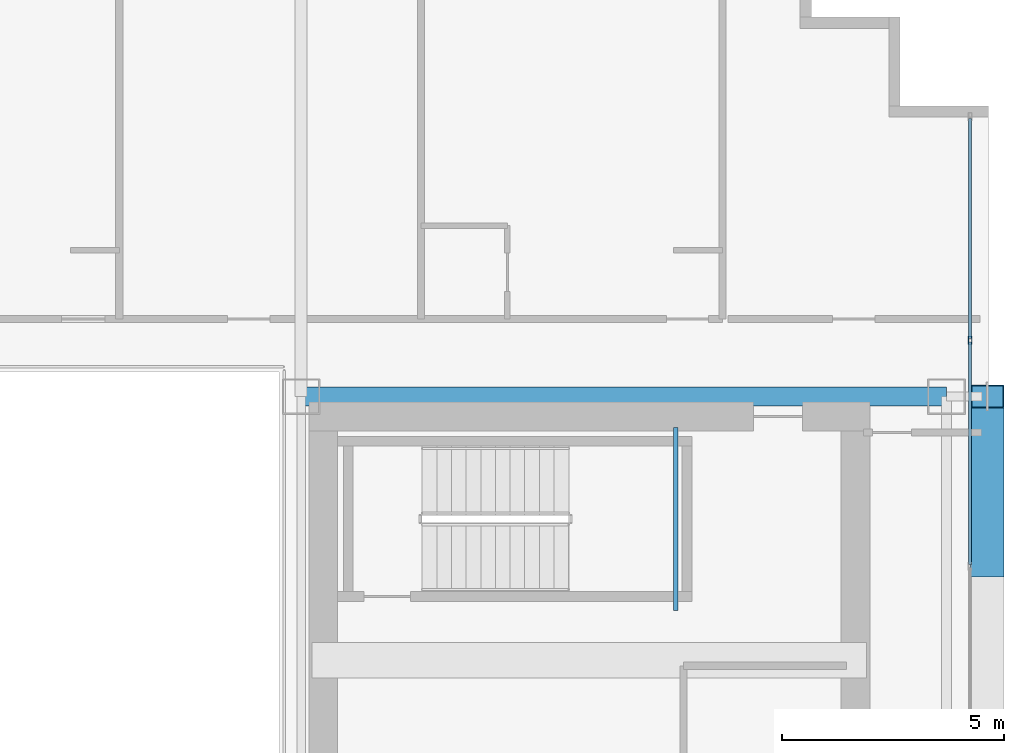
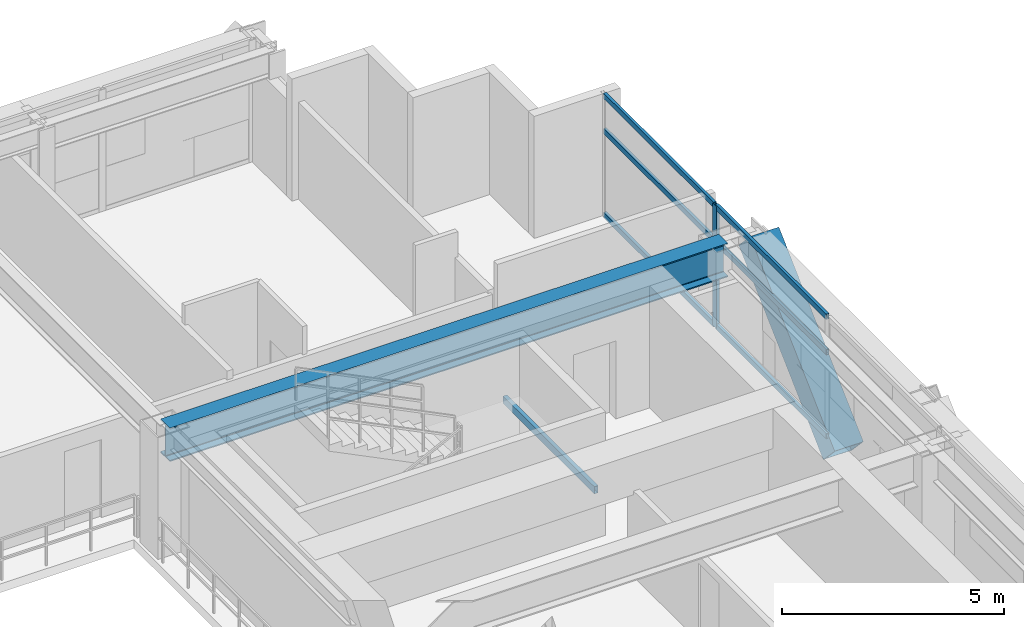
# One storey, part 20 of 34: 8 members, 2 beams, 1 element without a shape of its own.
"""IFC4 building model written with IfcOpenShell, lengths in metres."""

from ifc_helpers import new_model, si_unit, direction, frame, origin, origin_2d, place, context, subcontext, project, spatial, hollow_rectangle, i_section, extrude, source, transform, mapped, material, layer, layer_set, material_profile, profile_set, type_object, element, aggregate, save


model = new_model("IFC4")

# Units and contexts
model_context = context("Model", 3, precision=1e-05, world=origin(), true_north=direction((0.0, 1.0)))
body_context = subcontext(model_context, "Body", "Model", "MODEL_VIEW")
ifc_project = project(units=[si_unit("LENGTHUNIT", "METRE"), si_unit("AREAUNIT", "SQUARE_METRE"), si_unit("VOLUMEUNIT", "CUBIC_METRE"), si_unit("PLANEANGLEUNIT", "RADIAN"), si_unit("MASSUNIT", "GRAM", prefix="KILO")], contexts=[model_context])

# Site, building, storey
site_placement = place(None, origin())
site = spatial("IfcSite", under=ifc_project, at=site_placement, CompositionType="ELEMENT")
building_placement = place(site_placement, origin())
building = spatial("IfcBuilding", under=site, at=building_placement, Name="Ocotamira Hotel", CompositionType="ELEMENT")
storey_placement = place(building_placement, frame((0.0, 0.0, 108.0)))
storey = spatial("IfcBuildingStorey", under=building, at=storey_placement, Name="L26", CompositionType="ELEMENT", Elevation=108.0)

# Beams
ifc_material_1 = material(Name="Steel ASTM A500 Grade C", Category="steel")
ifc_material_profile_1 = material_profile(ifc_material_1, hollow_rectangle(XDim=0.10009765625, YDim=0.199951171875, WallThickness=0.008056640625, at=origin_2d()), Name="HSS200X100X8")
ifc_profile_set_1 = profile_set([ifc_material_profile_1], Name="Steel ASTM A500 Grade C")
beam_type_1 = type_object("IfcBeamType", Name="BM-STLDG-HSS200", PredefinedType="BEAM", material=ifc_profile_set_1)
shared_shape_1 = source(origin(), body_context, "Body", "SweptSolid", [
    extrude(hollow_rectangle(XDim=0.10009765625, YDim=0.199951171875, WallThickness=0.008056640625, at=origin_2d()), origin(), (0.0, 0.0, 1.0), 4.1201171875),
])
beam_1_placement = place(storey_placement, frame((48.949951171875, 32.6298828125, 1.5), z_axis=(0.0, 1.0, 0.0), x_axis=(-1.0, 0.0, 0.0)))
element("IfcBeam", 1, at=beam_1_placement, inside=storey, type_object=beam_type_1, Name="L26 Stair ST-4 Landing Bearer 1", PredefinedType="BEAM", context=body_context, shape_type="MappedRepresentation", body=[
    mapped(shared_shape_1, transform((0.0, 0.0, 0.0), scale=1.0)),
])
ifc_material_2 = material(Name="Steel ASTM A992 Grade 50", Category="steel")
ifc_material_profile_2 = material_profile(ifc_material_2, i_section(OverallWidth=0.41796875, OverallDepth=0.927001953125, WebThickness=0.019287109375, FlangeThickness=0.031982421875, FilletRadius=0.02392578125, at=origin_2d()), Name="W36X231")
ifc_profile_set_2 = profile_set([ifc_material_profile_2], Name="Steel ASTM A992 Grade 50")
beam_type_2 = type_object("IfcBeamType", Name="BM-GIRD-W36X231", PredefinedType="BEAM", material=ifc_profile_set_2)
shared_shape_2 = source(origin(), body_context, "Body", "SweptSolid", [
    extrude(i_section(OverallWidth=0.41796875, OverallDepth=0.927001953125, WebThickness=0.019287109375, FlangeThickness=0.031982421875, FilletRadius=0.02392578125, at=origin_2d()), origin(), (0.0, 0.0, 1.0), 14.550048828125),
])
beam_2_placement = place(storey_placement, frame((40.5, 37.449951171875, 2.896484375), z_axis=(1.0, 0.0, 0.0), x_axis=(0.0, 1.0, 0.0)))
element("IfcBeam", 2, at=beam_2_placement, inside=storey, type_object=beam_type_2, Name="L26 Girder Y37.45 X40.5-55.05", PredefinedType="BEAM", context=body_context, shape_type="MappedRepresentation", body=[
    mapped(shared_shape_2, transform((0.0, 0.0, 0.0), scale=1.0)),
])

# Member
ifc_material_3 = material(Name="Pale-metal coated steel ASTM A913 Grade 65", Category="steel")
ifc_material_profile_3 = material_profile(ifc_material_3, hollow_rectangle(XDim=0.75, YDim=0.75, WallThickness=0.028076171875, at=origin_2d()), Name="BOX750X750X28")
ifc_profile_set_3 = profile_set([ifc_material_profile_3], Name="Pale-metal coated steel ASTM A913 Grade 65")
member_type_1 = type_object("IfcMemberType", Name="MEM-EXO-BOX750", PredefinedType="BRACE", material=ifc_profile_set_3)
shared_shape_3 = source(origin(), body_context, "Body", "SweptSolid", [
    extrude(hollow_rectangle(XDim=0.75, YDim=0.75, WallThickness=0.028076171875, at=origin_2d()), origin(), (0.0, 0.0, 1.0), 5.24658203125),
])
member_1_placement = place(storey_placement, frame((55.969970703125, 33.63330078125, -0.489990234375), z_axis=(0.0, 0.727442733726, 0.686168397078), x_axis=(-1.0, 0.0, 0.0)))
element("IfcMember", 3, at=member_1_placement, inside=storey, type_object=member_type_1, Name="L26 Exoskeleton Diagrid E2.2", PredefinedType="BRACE", context=body_context, shape_type="MappedRepresentation", body=[
    mapped(shared_shape_3, transform((0.0, 0.0, 0.0), scale=1.0)),
])

# Curtain wall, members
ifc_material_4 = material(Name="Anodised pale-metal aluminium and solar glass", Category="aluminium")
ifc_layer = layer(ifc_material_4, 0.179931640625)
ifc_layer_set = layer_set([ifc_layer], Name="Anodised pale-metal aluminium and solar glass")
curtain_wall_type = type_object("IfcCurtainWallType", Name="CW-SYS3-Z2", PredefinedType="NOTDEFINED", material=ifc_layer_set)
curtain_wall_placement = place(storey_placement, origin())
curtain_wall = element("IfcCurtainWall", 4, at=curtain_wall_placement, inside=storey, type_object=curtain_wall_type, Name="L26 Curtain Wall CW-3 CW-L26-E", PredefinedType="NOTDEFINED")
ifc_material_5 = material(Name="Anodised pale-metal aluminium 6063-T6", Category="aluminium")
ifc_material_profile_4 = material_profile(ifc_material_5, hollow_rectangle(XDim=0.074951171875, YDim=0.14990234375, WallThickness=0.006103515625, at=origin_2d()), Name="HSS150X75X6")
ifc_profile_set_4 = profile_set([ifc_material_profile_4], Name="Anodised pale-metal aluminium 6063-T6")
member_type_2 = type_object("IfcMemberType", Name="CWT-150X75", PredefinedType="USERDEFINED", material=ifc_profile_set_4)
shared_shape_4 = source(origin(), body_context, "Body", "SweptSolid", [
    extrude(hollow_rectangle(XDim=0.074951171875, YDim=0.14990234375, WallThickness=0.006103515625, at=origin_2d()), origin(), (0.0, 0.0, 1.0), 4.965576171875),
])
member_2_placement = place(storey_placement, frame((55.580078125, 38.75439453125, 0.03759765625), z_axis=(0.0, 1.0, 0.0), x_axis=(-1.0, 0.0, 0.0)))
member_2 = element("IfcMember", 5, at=member_2_placement, type_object=member_type_2, Name="CW-3 transom 7.1", ObjectType="TRANSOM", PredefinedType="USERDEFINED", context=body_context, shape_type="MappedRepresentation", body=[
    mapped(shared_shape_4, transform((0.0, 0.0, 0.0), scale=1.0)),
])
member_3_placement = place(storey_placement, frame((55.580078125, 38.75439453125, 2.35009765625), z_axis=(0.0, 1.0, 0.0), x_axis=(-1.0, 0.0, 0.0)))
member_3 = element("IfcMember", 6, at=member_3_placement, type_object=member_type_2, Name="CW-3 transom 7.2", ObjectType="TRANSOM", PredefinedType="USERDEFINED", context=body_context, shape_type="MappedRepresentation", body=[
    mapped(shared_shape_4, transform((0.0, 0.0, 0.0), scale=1.0)),
])
member_4_placement = place(storey_placement, frame((55.580078125, 38.75439453125, 3.322509765625), z_axis=(0.0, 1.0, 0.0), x_axis=(-1.0, 0.0, 0.0)))
member_4 = element("IfcMember", 7, at=member_4_placement, type_object=member_type_2, Name="CW-3 transom 7.3", ObjectType="TRANSOM", PredefinedType="USERDEFINED", context=body_context, shape_type="MappedRepresentation", body=[
    mapped(shared_shape_4, transform((0.0, 0.0, 0.0), scale=1.0)),
])
shared_shape_5 = source(origin(), body_context, "Body", "SweptSolid", [
    extrude(hollow_rectangle(XDim=0.074951171875, YDim=0.14990234375, WallThickness=0.006103515625, at=origin_2d()), origin(), (0.0, 0.0, 1.0), 5.005859375),
])
member_5_placement = place(storey_placement, frame((55.580078125, 33.66845703125, 0.03759765625), z_axis=(0.0, 1.0, 0.0), x_axis=(-1.0, 0.0, 0.0)))
member_5 = element("IfcMember", 8, at=member_5_placement, type_object=member_type_2, Name="CW-3 transom 6.1", ObjectType="TRANSOM", PredefinedType="USERDEFINED", context=body_context, shape_type="MappedRepresentation", body=[
    mapped(shared_shape_5, transform((0.0, 0.0, 0.0), scale=1.0)),
])
member_6_placement = place(storey_placement, frame((55.580078125, 33.66845703125, 2.35009765625), z_axis=(0.0, 1.0, 0.0), x_axis=(-1.0, 0.0, 0.0)))
member_6 = element("IfcMember", 9, at=member_6_placement, type_object=member_type_2, Name="CW-3 transom 6.2", ObjectType="TRANSOM", PredefinedType="USERDEFINED", context=body_context, shape_type="MappedRepresentation", body=[
    mapped(shared_shape_5, transform((0.0, 0.0, 0.0), scale=1.0)),
])
member_7_placement = place(storey_placement, frame((55.580078125, 33.66845703125, 3.322509765625), z_axis=(0.0, 1.0, 0.0), x_axis=(-1.0, 0.0, 0.0)))
member_7 = element("IfcMember", 10, at=member_7_placement, type_object=member_type_2, Name="CW-3 transom 6.3", ObjectType="TRANSOM", PredefinedType="USERDEFINED", context=body_context, shape_type="MappedRepresentation", body=[
    mapped(shared_shape_5, transform((0.0, 0.0, 0.0), scale=1.0)),
])
ifc_material_profile_5 = material_profile(ifc_material_5, hollow_rectangle(XDim=0.080078125, YDim=0.179931640625, WallThickness=0.006103515625, at=origin_2d()), Name="HSS180X80X6")
ifc_profile_set_5 = profile_set([ifc_material_profile_5], Name="Anodised pale-metal aluminium 6063-T6")
member_type_3 = type_object("IfcMemberType", Name="CWM-180X75", PredefinedType="MULLION", material=ifc_profile_set_5)
shared_shape_6 = source(origin(), body_context, "Body", "SweptSolid", [
    extrude(hollow_rectangle(XDim=0.080078125, YDim=0.179931640625, WallThickness=0.006103515625, at=origin_2d()), origin(), (0.0, 0.0, 1.0), 3.360107421875),
])
member_8_placement = place(storey_placement, frame((55.580078125, 38.71435546875, 0.0), z_axis=(0.0, 0.0, 1.0), x_axis=(-1.0, 0.0, 0.0)))
member_8 = element("IfcMember", 11, at=member_8_placement, type_object=member_type_3, Name="CW-3 mullion 7", PredefinedType="MULLION", context=body_context, shape_type="MappedRepresentation", body=[
    mapped(shared_shape_6, transform((0.0, 0.0, 0.0), scale=1.0)),
])
aggregate(curtain_wall, [member_8, member_5, member_6, member_7, member_2, member_3, member_4])

save(model, "model.ifc")
